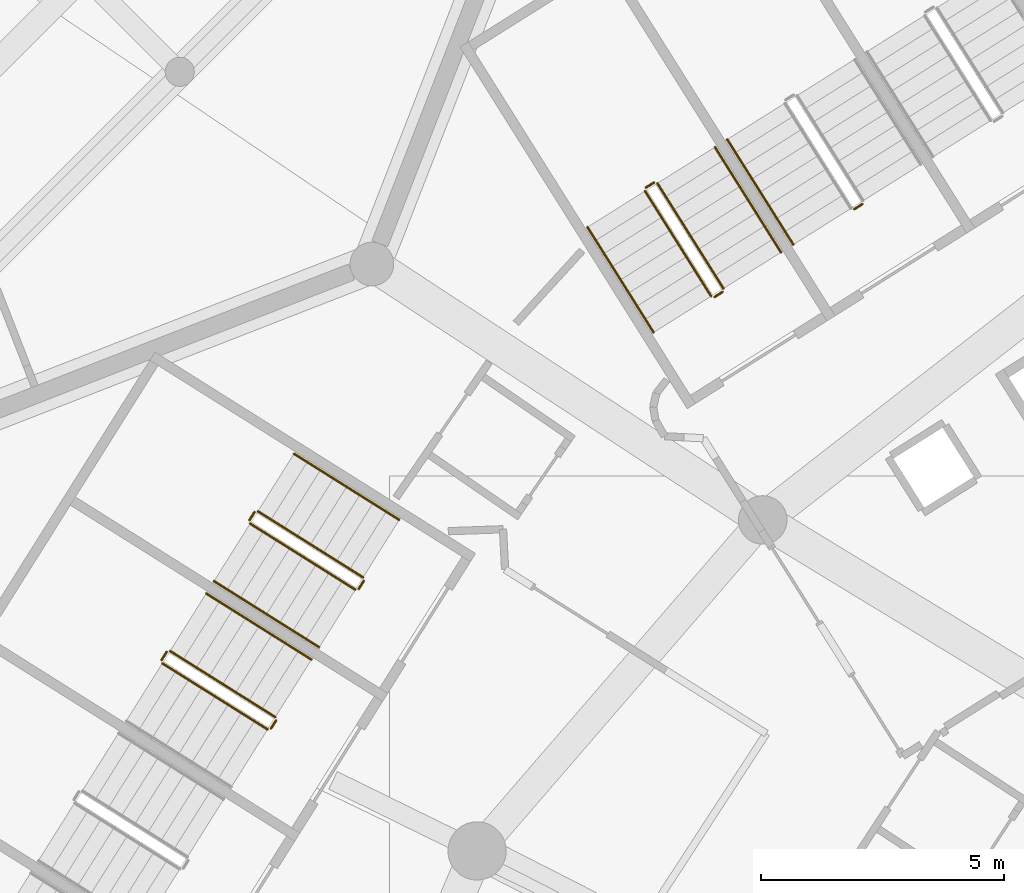
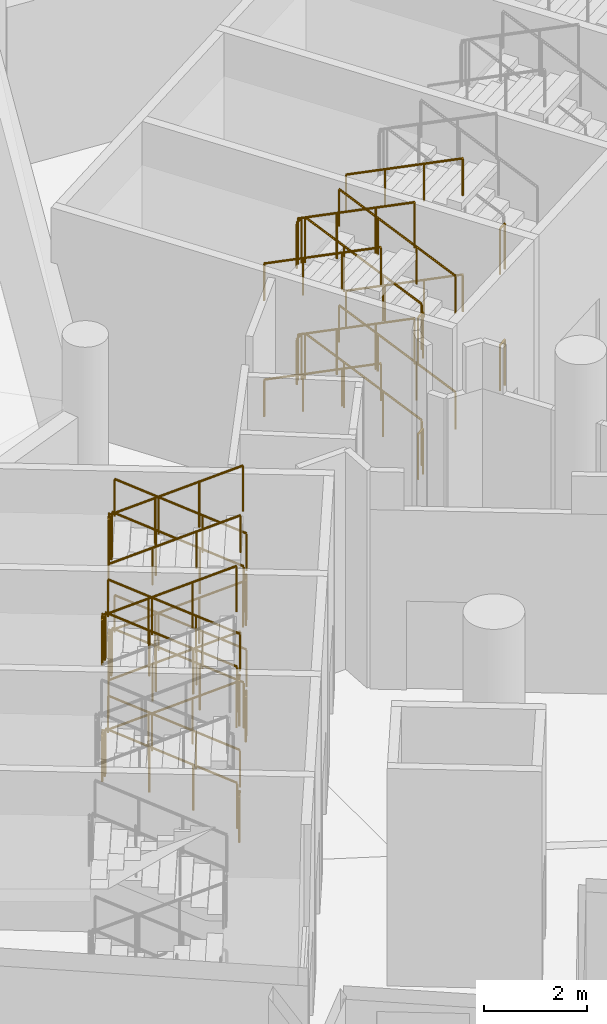
# One storey, part 255 of 271: 38 railings.
"""IFC4 building model written with IfcOpenShell, lengths in metres."""

from ifc_helpers import new_model, si_unit, direction, frame, origin, origin_2d, place, context, subcontext, project, spatial, circle, extrude, material, type_object, element, save


model = new_model("IFC4")

# Units and contexts
model_context = context("Model", 3, precision=1e-05, world=origin(), true_north=direction((0.0, 1.0)))
body_context = subcontext(model_context, "Body", "Model", "MODEL_VIEW")
ifc_project = project(units=[si_unit("LENGTHUNIT", "METRE"), si_unit("AREAUNIT", "SQUARE_METRE"), si_unit("VOLUMEUNIT", "CUBIC_METRE"), si_unit("PLANEANGLEUNIT", "RADIAN"), si_unit("MASSUNIT", "GRAM", prefix="KILO")], contexts=[model_context])

# Site, building, storey
site_placement = place(None, origin())
site = spatial("IfcSite", under=ifc_project, at=site_placement, CompositionType="ELEMENT")
building_placement = place(site_placement, origin())
building = spatial("IfcBuilding", under=site, at=building_placement, Name="Meseta Stadium", CompositionType="ELEMENT")
storey_placement = place(building_placement, frame((0.0, 0.0, 6.5)))
storey = spatial("IfcBuildingStorey", under=building, at=storey_placement, Name="L01", CompositionType="ELEMENT", Elevation=6.5)

# Railings
ifc_material_1 = material(Name="Steel S355", Category="steel")
railing_type_1 = type_object("IfcRailingType", Name="Stair guard 1100", PredefinedType="GUARDRAIL", material=ifc_material_1)
for number, where, name in (
    (1, (-70.2587890625, 85.600341796875, 2.75), "ST51 L01 guard 4"),
    (2, (-70.2587890625, 85.600341796875, 0.0), "ST51 L01 guard 8"),
):
    element("IfcRailing", number, at=place(storey_placement, frame(where)), inside=storey, type_object=railing_type_1, Name=name, PredefinedType="GUARDRAIL", context=body_context, shape_type="SweptSolid", body=[
        extrude(circle(Radius=0.02392578125, at=origin_2d()), frame((0.0, 0.0, 1.076171875), z_axis=(-0.846416356806, -0.532521690573, 0.0), x_axis=(0.532521690573, -0.846416356806, 0.0)), (0.0, 0.0, 1.0), 0.199951171875),
        extrude(circle(Radius=0.02099609375, at=origin_2d()), origin(), (0.0, 0.0, 1.0), 1.052001953125),
        extrude(circle(Radius=0.02099609375, at=origin_2d()), frame((-0.169189453125, -0.1064453125, 0.0)), (0.0, 0.0, 1.0), 1.052001953125),
    ])
railing_1_placement = place(storey_placement, frame((-73.121826171875, 83.8603515625, 0.15283203125)))
element("IfcRailing", 3, at=railing_1_placement, inside=storey, type_object=railing_type_1, Name="ST52 L01 guard 1", PredefinedType="GUARDRAIL", context=body_context, shape_type="SweptSolid", body=[
    extrude(circle(Radius=0.02392578125, at=origin_2d()), frame((0.0, 0.0, 1.076171875), z_axis=(-0.480156468945, 0.764084805753, 0.430841241), x_axis=(-0.84669915639, -0.532071929883, 0.0)), (0.0, 0.0, 1.0), 2.836669921875),
    extrude(circle(Radius=0.02099609375, at=origin_2d()), origin(), (0.0, 0.0, 1.0), 1.052001953125),
    extrude(circle(Radius=0.02099609375, at=origin_2d()), frame((-0.4541015625, 0.722412109375, 0.407470703125)), (0.0, 0.0, 1.0), 1.052001953125),
    extrude(circle(Radius=0.02099609375, at=origin_2d()), frame((-0.907958984375, 1.445068359375, 0.814697265625)), (0.0, 0.0, 1.0), 1.052001953125),
    extrude(circle(Radius=0.02099609375, at=origin_2d()), frame((-1.362060546875, 2.16748046875, 1.22216796875)), (0.0, 0.0, 1.0), 1.052001953125),
])
railing_2_placement = place(storey_placement, frame((-74.552734375, 86.043701171875, 1.375)))
element("IfcRailing", 4, at=railing_2_placement, inside=storey, type_object=railing_type_1, Name="ST52 L01 guard 2", PredefinedType="GUARDRAIL", context=body_context, shape_type="SweptSolid", body=[
    extrude(circle(Radius=0.02392578125, at=origin_2d()), frame((0.0, 0.0, 1.076171875), z_axis=(-0.846762178531, -0.531971628011, 0.0), x_axis=(0.531971628011, -0.846762178531, 0.0)), (0.0, 0.0, 1.0), 0.2001953125),
    extrude(circle(Radius=0.02099609375, at=origin_2d()), origin(), (0.0, 0.0, 1.0), 1.052001953125),
    extrude(circle(Radius=0.02099609375, at=origin_2d()), frame((-0.16943359375, -0.1064453125, 0.0)), (0.0, 0.0, 1.0), 1.052001953125),
])
railing_3_placement = place(storey_placement, frame((-74.73779296875, 85.8681640625, 1.52783203125)))
element("IfcRailing", 5, at=railing_3_placement, inside=storey, type_object=railing_type_1, Name="ST52 L01 guard 3", PredefinedType="GUARDRAIL", context=body_context, shape_type="SweptSolid", body=[
    extrude(circle(Radius=0.02392578125, at=origin_2d()), frame((0.0, 0.0, 1.076171875), z_axis=(0.480090242169, -0.764116380419, 0.430859044873), x_axis=(0.846742120675, 0.53200355363, 0.0)), (0.0, 0.0, 1.0), 2.836669921875),
    extrude(circle(Radius=0.02099609375, at=origin_2d()), origin(), (0.0, 0.0, 1.0), 1.052001953125),
    extrude(circle(Radius=0.02099609375, at=origin_2d()), frame((0.453857421875, -0.722412109375, 0.407470703125)), (0.0, 0.0, 1.0), 1.052001953125),
    extrude(circle(Radius=0.02099609375, at=origin_2d()), frame((0.907958984375, -1.445068359375, 0.814697265625)), (0.0, 0.0, 1.0), 1.052001953125),
    extrude(circle(Radius=0.02099609375, at=origin_2d()), frame((1.36181640625, -2.16748046875, 1.22216796875)), (0.0, 0.0, 1.0), 1.052001953125),
])
railing_4_placement = place(storey_placement, frame((-73.1376953125, 83.791259765625, 2.75)))
element("IfcRailing", 6, at=railing_4_placement, inside=storey, type_object=railing_type_1, Name="ST52 L01 guard 4", PredefinedType="GUARDRAIL", context=body_context, shape_type="SweptSolid", body=[
    extrude(circle(Radius=0.02392578125, at=origin_2d()), frame((0.0, 0.0, 1.076171875), z_axis=(-0.846416356806, -0.532521690573, 0.0), x_axis=(0.532521690573, -0.846416356806, 0.0)), (0.0, 0.0, 1.0), 0.199951171875),
    extrude(circle(Radius=0.02099609375, at=origin_2d()), origin(), (0.0, 0.0, 1.0), 1.052001953125),
    extrude(circle(Radius=0.02099609375, at=origin_2d()), frame((-0.169189453125, -0.1064453125, 0.0)), (0.0, 0.0, 1.0), 1.052001953125),
])
railing_5_placement = place(storey_placement, frame((-73.121826171875, 83.8603515625, 2.90283203125)))
element("IfcRailing", 7, at=railing_5_placement, inside=storey, type_object=railing_type_1, Name="ST52 L01 guard 5", PredefinedType="GUARDRAIL", context=body_context, shape_type="SweptSolid", body=[
    extrude(circle(Radius=0.02392578125, at=origin_2d()), frame((0.0, 0.0, 1.076171875), z_axis=(-0.480156468945, 0.764084805753, 0.430841241), x_axis=(-0.84669915639, -0.532071929883, 0.0)), (0.0, 0.0, 1.0), 2.836669921875),
    extrude(circle(Radius=0.02099609375, at=origin_2d()), origin(), (0.0, 0.0, 1.0), 1.052001953125),
    extrude(circle(Radius=0.02099609375, at=origin_2d()), frame((-0.4541015625, 0.722412109375, 0.407470703125)), (0.0, 0.0, 1.0), 1.052001953125),
    extrude(circle(Radius=0.02099609375, at=origin_2d()), frame((-0.907958984375, 1.445068359375, 0.814697265625)), (0.0, 0.0, 1.0), 1.052001953125),
    extrude(circle(Radius=0.02099609375, at=origin_2d()), frame((-1.362060546875, 2.16748046875, 1.22216796875)), (0.0, 0.0, 1.0), 1.052001953125),
])
railing_6_placement = place(storey_placement, frame((-74.552734375, 86.043701171875, 4.125)))
element("IfcRailing", 8, at=railing_6_placement, inside=storey, type_object=railing_type_1, Name="ST52 L01 guard 6", PredefinedType="GUARDRAIL", context=body_context, shape_type="SweptSolid", body=[
    extrude(circle(Radius=0.02392578125, at=origin_2d()), frame((0.0, 0.0, 1.076171875), z_axis=(-0.846762178531, -0.531971628011, 0.0), x_axis=(0.531971628011, -0.846762178531, 0.0)), (0.0, 0.0, 1.0), 0.2001953125),
    extrude(circle(Radius=0.02099609375, at=origin_2d()), origin(), (0.0, 0.0, 1.0), 1.052001953125),
    extrude(circle(Radius=0.02099609375, at=origin_2d()), frame((-0.16943359375, -0.1064453125, 0.0)), (0.0, 0.0, 1.0), 1.052001953125),
])
railing_7_placement = place(storey_placement, frame((-74.73779296875, 85.8681640625, 4.27783203125)))
element("IfcRailing", 9, at=railing_7_placement, inside=storey, type_object=railing_type_1, Name="ST52 L01 guard 7", PredefinedType="GUARDRAIL", context=body_context, shape_type="SweptSolid", body=[
    extrude(circle(Radius=0.02392578125, at=origin_2d()), frame((0.0, 0.0, 1.076171875), z_axis=(0.480090242169, -0.764116380419, 0.430859044873), x_axis=(0.846742120675, 0.53200355363, 0.0)), (0.0, 0.0, 1.0), 2.836669921875),
    extrude(circle(Radius=0.02099609375, at=origin_2d()), origin(), (0.0, 0.0, 1.0), 1.052001953125),
    extrude(circle(Radius=0.02099609375, at=origin_2d()), frame((0.453857421875, -0.722412109375, 0.407470703125)), (0.0, 0.0, 1.0), 1.052001953125),
    extrude(circle(Radius=0.02099609375, at=origin_2d()), frame((0.907958984375, -1.445068359375, 0.814697265625)), (0.0, 0.0, 1.0), 1.052001953125),
    extrude(circle(Radius=0.02099609375, at=origin_2d()), frame((1.36181640625, -2.16748046875, 1.22216796875)), (0.0, 0.0, 1.0), 1.052001953125),
])
railing_8_placement = place(storey_placement, frame((-73.1376953125, 83.791259765625, 0.0)))
element("IfcRailing", 10, at=railing_8_placement, inside=storey, type_object=railing_type_1, Name="ST52 L01 guard 8", PredefinedType="GUARDRAIL", context=body_context, shape_type="SweptSolid", body=[
    extrude(circle(Radius=0.02392578125, at=origin_2d()), frame((0.0, 0.0, 1.076171875), z_axis=(-0.846416356806, -0.532521690573, 0.0), x_axis=(0.532521690573, -0.846416356806, 0.0)), (0.0, 0.0, 1.0), 0.199951171875),
    extrude(circle(Radius=0.02099609375, at=origin_2d()), origin(), (0.0, 0.0, 1.0), 1.052001953125),
    extrude(circle(Radius=0.02099609375, at=origin_2d()), frame((-0.169189453125, -0.1064453125, 0.0)), (0.0, 0.0, 1.0), 1.052001953125),
])
railing_9_placement = place(storey_placement, frame((-80.54736328125, 77.907958984375, 0.15283203125)))
element("IfcRailing", 11, at=railing_9_placement, inside=storey, type_object=railing_type_1, Name="ST53 L01 guard 1", PredefinedType="GUARDRAIL", context=body_context, shape_type="SweptSolid", body=[
    extrude(circle(Radius=0.02392578125, at=origin_2d()), frame((0.0, 0.0, 1.076171875), z_axis=(-0.764120620259, 0.480124894743, 0.430812909676), x_axis=(-0.532028967801, -0.846726152555, 0.0)), (0.0, 0.0, 1.0), 2.8369140625),
    extrude(circle(Radius=0.02099609375, at=origin_2d()), origin(), (0.0, 0.0, 1.0), 1.052001953125),
    extrude(circle(Radius=0.02099609375, at=origin_2d()), frame((-0.72265625, 0.4541015625, 0.407470703125)), (0.0, 0.0, 1.0), 1.052001953125),
    extrude(circle(Radius=0.02099609375, at=origin_2d()), frame((-1.445068359375, 0.907958984375, 0.814697265625)), (0.0, 0.0, 1.0), 1.052001953125),
    extrude(circle(Radius=0.02099609375, at=origin_2d()), frame((-2.167724609375, 1.362060546875, 1.22216796875)), (0.0, 0.0, 1.0), 1.052001953125),
])
railing_10_placement = place(storey_placement, frame((-82.783935546875, 79.254150390625, 1.375)))
element("IfcRailing", 12, at=railing_10_placement, inside=storey, type_object=railing_type_1, Name="ST53 L01 guard 2", PredefinedType="GUARDRAIL", context=body_context, shape_type="SweptSolid", body=[
    extrude(circle(Radius=0.02392578125, at=origin_2d()), frame((0.0, 0.0, 1.076171875), z_axis=(-0.532521690573, -0.846416356806, 0.0), x_axis=(0.846416356806, -0.532521690573, 0.0)), (0.0, 0.0, 1.0), 0.199951171875),
    extrude(circle(Radius=0.02099609375, at=origin_2d()), origin(), (0.0, 0.0, 1.0), 1.052001953125),
    extrude(circle(Radius=0.02099609375, at=origin_2d()), frame((-0.1064453125, -0.169189453125, 0.0)), (0.0, 0.0, 1.0), 1.052001953125),
])
railing_11_placement = place(storey_placement, frame((-82.87451171875, 79.015869140625, 1.52783203125)))
element("IfcRailing", 13, at=railing_11_placement, inside=storey, type_object=railing_type_1, Name="ST53 L01 guard 3", PredefinedType="GUARDRAIL", context=body_context, shape_type="SweptSolid", body=[
    extrude(circle(Radius=0.02392578125, at=origin_2d()), frame((0.0, 0.0, 1.076171875), z_axis=(0.764084805753, -0.480156468945, 0.430841241), x_axis=(0.532071929883, 0.84669915639, 0.0)), (0.0, 0.0, 1.0), 2.836669921875),
    extrude(circle(Radius=0.02099609375, at=origin_2d()), origin(), (0.0, 0.0, 1.0), 1.052001953125),
    extrude(circle(Radius=0.02099609375, at=origin_2d()), frame((0.722412109375, -0.4541015625, 0.407470703125)), (0.0, 0.0, 1.0), 1.052001953125),
    extrude(circle(Radius=0.02099609375, at=origin_2d()), frame((1.445068359375, -0.907958984375, 0.814697265625)), (0.0, 0.0, 1.0), 1.052001953125),
    extrude(circle(Radius=0.02099609375, at=origin_2d()), frame((2.16748046875, -1.362060546875, 1.22216796875)), (0.0, 0.0, 1.0), 1.052001953125),
])
railing_12_placement = place(storey_placement, frame((-80.53173828125, 77.8388671875, 2.75)))
element("IfcRailing", 14, at=railing_12_placement, inside=storey, type_object=railing_type_1, Name="ST53 L01 guard 4", PredefinedType="GUARDRAIL", context=body_context, shape_type="SweptSolid", body=[
    extrude(circle(Radius=0.02392578125, at=origin_2d()), frame((0.0, 0.0, 1.076171875), z_axis=(-0.531645814745, -0.846966780732, 0.0), x_axis=(0.846966780732, -0.531645814745, 0.0)), (0.0, 0.0, 1.0), 0.19970703125),
    extrude(circle(Radius=0.02099609375, at=origin_2d()), origin(), (0.0, 0.0, 1.0), 1.052001953125),
    extrude(circle(Radius=0.02099609375, at=origin_2d()), frame((-0.106201171875, -0.169189453125, 0.0)), (0.0, 0.0, 1.0), 1.052001953125),
])
railing_13_placement = place(storey_placement, frame((-80.54736328125, 77.907958984375, 2.90283203125)))
element("IfcRailing", 15, at=railing_13_placement, inside=storey, type_object=railing_type_1, Name="ST53 L01 guard 5", PredefinedType="GUARDRAIL", context=body_context, shape_type="SweptSolid", body=[
    extrude(circle(Radius=0.02392578125, at=origin_2d()), frame((0.0, 0.0, 1.076171875), z_axis=(-0.764120620259, 0.480124894743, 0.430812909676), x_axis=(-0.532028967801, -0.846726152555, 0.0)), (0.0, 0.0, 1.0), 2.8369140625),
    extrude(circle(Radius=0.02099609375, at=origin_2d()), origin(), (0.0, 0.0, 1.0), 1.052001953125),
    extrude(circle(Radius=0.02099609375, at=origin_2d()), frame((-0.72265625, 0.4541015625, 0.407470703125)), (0.0, 0.0, 1.0), 1.052001953125),
    extrude(circle(Radius=0.02099609375, at=origin_2d()), frame((-1.445068359375, 0.907958984375, 0.814697265625)), (0.0, 0.0, 1.0), 1.052001953125),
    extrude(circle(Radius=0.02099609375, at=origin_2d()), frame((-2.167724609375, 1.362060546875, 1.22216796875)), (0.0, 0.0, 1.0), 1.052001953125),
])
railing_14_placement = place(storey_placement, frame((-82.783935546875, 79.254150390625, 4.125)))
element("IfcRailing", 16, at=railing_14_placement, inside=storey, type_object=railing_type_1, Name="ST53 L01 guard 6", PredefinedType="GUARDRAIL", context=body_context, shape_type="SweptSolid", body=[
    extrude(circle(Radius=0.02392578125, at=origin_2d()), frame((0.0, 0.0, 1.076171875), z_axis=(-0.532521690573, -0.846416356806, 0.0), x_axis=(0.846416356806, -0.532521690573, 0.0)), (0.0, 0.0, 1.0), 0.199951171875),
    extrude(circle(Radius=0.02099609375, at=origin_2d()), origin(), (0.0, 0.0, 1.0), 1.052001953125),
    extrude(circle(Radius=0.02099609375, at=origin_2d()), frame((-0.1064453125, -0.169189453125, 0.0)), (0.0, 0.0, 1.0), 1.052001953125),
])
railing_15_placement = place(storey_placement, frame((-82.87451171875, 79.015869140625, 4.27783203125)))
element("IfcRailing", 17, at=railing_15_placement, inside=storey, type_object=railing_type_1, Name="ST53 L01 guard 7", PredefinedType="GUARDRAIL", context=body_context, shape_type="SweptSolid", body=[
    extrude(circle(Radius=0.02392578125, at=origin_2d()), frame((0.0, 0.0, 1.076171875), z_axis=(0.764084805753, -0.480156468945, 0.430841241), x_axis=(0.532071929883, 0.84669915639, 0.0)), (0.0, 0.0, 1.0), 2.836669921875),
    extrude(circle(Radius=0.02099609375, at=origin_2d()), origin(), (0.0, 0.0, 1.0), 1.052001953125),
    extrude(circle(Radius=0.02099609375, at=origin_2d()), frame((0.722412109375, -0.4541015625, 0.407470703125)), (0.0, 0.0, 1.0), 1.052001953125),
    extrude(circle(Radius=0.02099609375, at=origin_2d()), frame((1.445068359375, -0.907958984375, 0.814697265625)), (0.0, 0.0, 1.0), 1.052001953125),
    extrude(circle(Radius=0.02099609375, at=origin_2d()), frame((2.16748046875, -1.362060546875, 1.22216796875)), (0.0, 0.0, 1.0), 1.052001953125),
])
railing_16_placement = place(storey_placement, frame((-80.53173828125, 77.8388671875, 0.0)))
element("IfcRailing", 18, at=railing_16_placement, inside=storey, type_object=railing_type_1, Name="ST53 L01 guard 8", PredefinedType="GUARDRAIL", context=body_context, shape_type="SweptSolid", body=[
    extrude(circle(Radius=0.02392578125, at=origin_2d()), frame((0.0, 0.0, 1.076171875), z_axis=(-0.531645814745, -0.846966780732, 0.0), x_axis=(0.846966780732, -0.531645814745, 0.0)), (0.0, 0.0, 1.0), 0.19970703125),
    extrude(circle(Radius=0.02099609375, at=origin_2d()), origin(), (0.0, 0.0, 1.0), 1.052001953125),
    extrude(circle(Radius=0.02099609375, at=origin_2d()), frame((-0.106201171875, -0.169189453125, 0.0)), (0.0, 0.0, 1.0), 1.052001953125),
])
railing_17_placement = place(storey_placement, frame((-82.356201171875, 75.029052734375, 0.15283203125)))
element("IfcRailing", 19, at=railing_17_placement, inside=storey, type_object=railing_type_1, Name="ST54 L01 guard 1", PredefinedType="GUARDRAIL", context=body_context, shape_type="SweptSolid", body=[
    extrude(circle(Radius=0.02392578125, at=origin_2d()), frame((0.0, 0.0, 1.076171875), z_axis=(-0.764120620259, 0.480124894743, 0.430812909676), x_axis=(-0.532028967801, -0.846726152555, 0.0)), (0.0, 0.0, 1.0), 2.8369140625),
    extrude(circle(Radius=0.02099609375, at=origin_2d()), origin(), (0.0, 0.0, 1.0), 1.052001953125),
    extrude(circle(Radius=0.02099609375, at=origin_2d()), frame((-0.72265625, 0.4541015625, 0.407470703125)), (0.0, 0.0, 1.0), 1.052001953125),
    extrude(circle(Radius=0.02099609375, at=origin_2d()), frame((-1.445068359375, 0.907958984375, 0.814697265625)), (0.0, 0.0, 1.0), 1.052001953125),
    extrude(circle(Radius=0.02099609375, at=origin_2d()), frame((-2.167724609375, 1.362060546875, 1.22216796875)), (0.0, 0.0, 1.0), 1.052001953125),
])
railing_18_placement = place(storey_placement, frame((-84.5927734375, 76.375244140625, 1.375)))
element("IfcRailing", 20, at=railing_18_placement, inside=storey, type_object=railing_type_1, Name="ST54 L01 guard 2", PredefinedType="GUARDRAIL", context=body_context, shape_type="SweptSolid", body=[
    extrude(circle(Radius=0.02392578125, at=origin_2d()), frame((0.0, 0.0, 1.076171875), z_axis=(-0.532521690573, -0.846416356806, 0.0), x_axis=(0.846416356806, -0.532521690573, 0.0)), (0.0, 0.0, 1.0), 0.199951171875),
    extrude(circle(Radius=0.02099609375, at=origin_2d()), origin(), (0.0, 0.0, 1.0), 1.052001953125),
    extrude(circle(Radius=0.02099609375, at=origin_2d()), frame((-0.1064453125, -0.169189453125, 0.0)), (0.0, 0.0, 1.0), 1.052001953125),
])
railing_19_placement = place(storey_placement, frame((-84.68359375, 76.136962890625, 1.52783203125)))
element("IfcRailing", 21, at=railing_19_placement, inside=storey, type_object=railing_type_1, Name="ST54 L01 guard 3", PredefinedType="GUARDRAIL", context=body_context, shape_type="SweptSolid", body=[
    extrude(circle(Radius=0.02392578125, at=origin_2d()), frame((0.0, 0.0, 1.076171875), z_axis=(0.764152192252, -0.480058669713, 0.430830710036), x_axis=(0.53196059271, 0.846769111272, 0.0)), (0.0, 0.0, 1.0), 2.836669921875),
    extrude(circle(Radius=0.02099609375, at=origin_2d()), origin(), (0.0, 0.0, 1.0), 1.052001953125),
    extrude(circle(Radius=0.02099609375, at=origin_2d()), frame((0.72265625, -0.453857421875, 0.407470703125)), (0.0, 0.0, 1.0), 1.052001953125),
    extrude(circle(Radius=0.02099609375, at=origin_2d()), frame((1.445068359375, -0.907958984375, 0.814697265625)), (0.0, 0.0, 1.0), 1.052001953125),
    extrude(circle(Radius=0.02099609375, at=origin_2d()), frame((2.167724609375, -1.36181640625, 1.22216796875)), (0.0, 0.0, 1.0), 1.052001953125),
])
railing_20_placement = place(storey_placement, frame((-82.340576171875, 74.960205078125, 2.75)))
element("IfcRailing", 22, at=railing_20_placement, inside=storey, type_object=railing_type_1, Name="ST54 L01 guard 4", PredefinedType="GUARDRAIL", context=body_context, shape_type="SweptSolid", body=[
    extrude(circle(Radius=0.02392578125, at=origin_2d()), frame((0.0, 0.0, 1.076171875), z_axis=(-0.531971628011, -0.846762178531, 0.0), x_axis=(0.846762178531, -0.531971628011, 0.0)), (0.0, 0.0, 1.0), 0.2001953125),
    extrude(circle(Radius=0.02099609375, at=origin_2d()), origin(), (0.0, 0.0, 1.0), 1.052001953125),
    extrude(circle(Radius=0.02099609375, at=origin_2d()), frame((-0.1064453125, -0.16943359375, 0.0)), (0.0, 0.0, 1.0), 1.052001953125),
])
railing_21_placement = place(storey_placement, frame((-82.356201171875, 75.029052734375, 2.90283203125)))
element("IfcRailing", 23, at=railing_21_placement, inside=storey, type_object=railing_type_1, Name="ST54 L01 guard 5", PredefinedType="GUARDRAIL", context=body_context, shape_type="SweptSolid", body=[
    extrude(circle(Radius=0.02392578125, at=origin_2d()), frame((0.0, 0.0, 1.076171875), z_axis=(-0.764120620259, 0.480124894743, 0.430812909676), x_axis=(-0.532028967801, -0.846726152555, 0.0)), (0.0, 0.0, 1.0), 2.8369140625),
    extrude(circle(Radius=0.02099609375, at=origin_2d()), origin(), (0.0, 0.0, 1.0), 1.052001953125),
    extrude(circle(Radius=0.02099609375, at=origin_2d()), frame((-0.72265625, 0.4541015625, 0.407470703125)), (0.0, 0.0, 1.0), 1.052001953125),
    extrude(circle(Radius=0.02099609375, at=origin_2d()), frame((-1.445068359375, 0.907958984375, 0.814697265625)), (0.0, 0.0, 1.0), 1.052001953125),
    extrude(circle(Radius=0.02099609375, at=origin_2d()), frame((-2.167724609375, 1.362060546875, 1.22216796875)), (0.0, 0.0, 1.0), 1.052001953125),
])
railing_22_placement = place(storey_placement, frame((-84.5927734375, 76.375244140625, 4.125)))
element("IfcRailing", 24, at=railing_22_placement, inside=storey, type_object=railing_type_1, Name="ST54 L01 guard 6", PredefinedType="GUARDRAIL", context=body_context, shape_type="SweptSolid", body=[
    extrude(circle(Radius=0.02392578125, at=origin_2d()), frame((0.0, 0.0, 1.076171875), z_axis=(-0.532521690573, -0.846416356806, 0.0), x_axis=(0.846416356806, -0.532521690573, 0.0)), (0.0, 0.0, 1.0), 0.199951171875),
    extrude(circle(Radius=0.02099609375, at=origin_2d()), origin(), (0.0, 0.0, 1.0), 1.052001953125),
    extrude(circle(Radius=0.02099609375, at=origin_2d()), frame((-0.1064453125, -0.169189453125, 0.0)), (0.0, 0.0, 1.0), 1.052001953125),
])
railing_23_placement = place(storey_placement, frame((-84.68359375, 76.136962890625, 4.27783203125)))
element("IfcRailing", 25, at=railing_23_placement, inside=storey, type_object=railing_type_1, Name="ST54 L01 guard 7", PredefinedType="GUARDRAIL", context=body_context, shape_type="SweptSolid", body=[
    extrude(circle(Radius=0.02392578125, at=origin_2d()), frame((0.0, 0.0, 1.076171875), z_axis=(0.764152192252, -0.480058669713, 0.430830710036), x_axis=(0.53196059271, 0.846769111272, 0.0)), (0.0, 0.0, 1.0), 2.836669921875),
    extrude(circle(Radius=0.02099609375, at=origin_2d()), origin(), (0.0, 0.0, 1.0), 1.052001953125),
    extrude(circle(Radius=0.02099609375, at=origin_2d()), frame((0.72265625, -0.453857421875, 0.407470703125)), (0.0, 0.0, 1.0), 1.052001953125),
    extrude(circle(Radius=0.02099609375, at=origin_2d()), frame((1.445068359375, -0.907958984375, 0.814697265625)), (0.0, 0.0, 1.0), 1.052001953125),
    extrude(circle(Radius=0.02099609375, at=origin_2d()), frame((2.167724609375, -1.36181640625, 1.22216796875)), (0.0, 0.0, 1.0), 1.052001953125),
])
railing_24_placement = place(storey_placement, frame((-82.340576171875, 74.960205078125, 0.0)))
element("IfcRailing", 26, at=railing_24_placement, inside=storey, type_object=railing_type_1, Name="ST54 L01 guard 8", PredefinedType="GUARDRAIL", context=body_context, shape_type="SweptSolid", body=[
    extrude(circle(Radius=0.02392578125, at=origin_2d()), frame((0.0, 0.0, 1.076171875), z_axis=(-0.531971628011, -0.846762178531, 0.0), x_axis=(0.846762178531, -0.531971628011, 0.0)), (0.0, 0.0, 1.0), 0.2001953125),
    extrude(circle(Radius=0.02099609375, at=origin_2d()), origin(), (0.0, 0.0, 1.0), 1.052001953125),
    extrude(circle(Radius=0.02099609375, at=origin_2d()), frame((-0.1064453125, -0.16943359375, 0.0)), (0.0, 0.0, 1.0), 1.052001953125),
])
ifc_material_2 = material(Name="Steel S355", Category="steel")
railing_type_2 = type_object("IfcRailingType", Name="Stair handrail 900", PredefinedType="HANDRAIL", material=ifc_material_2)
for number, where, name in (
    (27, (-73.04443359375, 86.932373046875, 1.52783203125), "ST51 L01 handrail 2"),
    (28, (-73.04443359375, 86.932373046875, 4.27783203125), "ST51 L01 handrail 4"),
):
    element("IfcRailing", number, at=place(storey_placement, frame(where)), inside=storey, type_object=railing_type_2, Name=name, PredefinedType="HANDRAIL", context=body_context, shape_type="SweptSolid", body=[
        extrude(circle(Radius=0.02392578125, at=origin_2d()), frame((0.0, 0.0, 0.8759765625), z_axis=(0.480124894743, -0.764120620259, 0.430812909676), x_axis=(0.846726152555, 0.532028967801, 0.0)), (0.0, 0.0, 1.0), 2.8369140625),
        extrude(circle(Radius=0.02099609375, at=origin_2d()), origin(), (0.0, 0.0, 1.0), 0.851806640625),
        extrude(circle(Radius=0.02099609375, at=origin_2d()), frame((0.4541015625, -0.72265625, 0.407470703125)), (0.0, 0.0, 1.0), 0.851806640625),
        extrude(circle(Radius=0.02099609375, at=origin_2d()), frame((0.907958984375, -1.445068359375, 0.814697265625)), (0.0, 0.0, 1.0), 0.851806640625),
        extrude(circle(Radius=0.02099609375, at=origin_2d()), frame((1.362060546875, -2.167724609375, 1.22216796875)), (0.0, 0.0, 1.0), 0.851806640625),
    ])
railing_25_placement = place(storey_placement, frame((-71.9365234375, 84.60498046875, 0.15283203125)))
element("IfcRailing", 29, at=railing_25_placement, inside=storey, type_object=railing_type_2, Name="ST52 L01 handrail 1", PredefinedType="HANDRAIL", context=body_context, shape_type="SweptSolid", body=[
    extrude(circle(Radius=0.02392578125, at=origin_2d()), frame((0.0, 0.0, 0.8759765625), z_axis=(-0.480058669713, 0.764152192252, 0.430830710036), x_axis=(-0.846769111272, -0.53196059271, 0.0)), (0.0, 0.0, 1.0), 2.836669921875),
    extrude(circle(Radius=0.02099609375, at=origin_2d()), origin(), (0.0, 0.0, 1.0), 0.851806640625),
    extrude(circle(Radius=0.02099609375, at=origin_2d()), frame((-0.453857421875, 0.72265625, 0.407470703125)), (0.0, 0.0, 1.0), 0.851806640625),
    extrude(circle(Radius=0.02099609375, at=origin_2d()), frame((-0.907958984375, 1.445068359375, 0.814697265625)), (0.0, 0.0, 1.0), 0.851806640625),
    extrude(circle(Radius=0.02099609375, at=origin_2d()), frame((-1.36181640625, 2.167724609375, 1.22216796875)), (0.0, 0.0, 1.0), 0.851806640625),
])
railing_26_placement = place(storey_placement, frame((-75.92333984375, 85.12353515625, 1.52783203125)))
element("IfcRailing", 30, at=railing_26_placement, inside=storey, type_object=railing_type_2, Name="ST52 L01 handrail 2", PredefinedType="HANDRAIL", context=body_context, shape_type="SweptSolid", body=[
    extrude(circle(Radius=0.02392578125, at=origin_2d()), frame((0.0, 0.0, 0.8759765625), z_axis=(0.480124894743, -0.764120620259, 0.430812909676), x_axis=(0.846726152555, 0.532028967801, 0.0)), (0.0, 0.0, 1.0), 2.8369140625),
    extrude(circle(Radius=0.02099609375, at=origin_2d()), origin(), (0.0, 0.0, 1.0), 0.851806640625),
    extrude(circle(Radius=0.02099609375, at=origin_2d()), frame((0.4541015625, -0.72265625, 0.407470703125)), (0.0, 0.0, 1.0), 0.851806640625),
    extrude(circle(Radius=0.02099609375, at=origin_2d()), frame((0.907958984375, -1.445068359375, 0.814697265625)), (0.0, 0.0, 1.0), 0.851806640625),
    extrude(circle(Radius=0.02099609375, at=origin_2d()), frame((1.362060546875, -2.167724609375, 1.22216796875)), (0.0, 0.0, 1.0), 0.851806640625),
])
railing_27_placement = place(storey_placement, frame((-71.9365234375, 84.60498046875, 2.90283203125)))
element("IfcRailing", 31, at=railing_27_placement, inside=storey, type_object=railing_type_2, Name="ST52 L01 handrail 3", PredefinedType="HANDRAIL", context=body_context, shape_type="SweptSolid", body=[
    extrude(circle(Radius=0.02392578125, at=origin_2d()), frame((0.0, 0.0, 0.8759765625), z_axis=(-0.480058669713, 0.764152192252, 0.430830710036), x_axis=(-0.846769111272, -0.53196059271, 0.0)), (0.0, 0.0, 1.0), 2.836669921875),
    extrude(circle(Radius=0.02099609375, at=origin_2d()), origin(), (0.0, 0.0, 1.0), 0.851806640625),
    extrude(circle(Radius=0.02099609375, at=origin_2d()), frame((-0.453857421875, 0.72265625, 0.407470703125)), (0.0, 0.0, 1.0), 0.851806640625),
    extrude(circle(Radius=0.02099609375, at=origin_2d()), frame((-0.907958984375, 1.445068359375, 0.814697265625)), (0.0, 0.0, 1.0), 0.851806640625),
    extrude(circle(Radius=0.02099609375, at=origin_2d()), frame((-1.36181640625, 2.167724609375, 1.22216796875)), (0.0, 0.0, 1.0), 0.851806640625),
])
railing_28_placement = place(storey_placement, frame((-75.92333984375, 85.12353515625, 4.27783203125)))
element("IfcRailing", 32, at=railing_28_placement, inside=storey, type_object=railing_type_2, Name="ST52 L01 handrail 4", PredefinedType="HANDRAIL", context=body_context, shape_type="SweptSolid", body=[
    extrude(circle(Radius=0.02392578125, at=origin_2d()), frame((0.0, 0.0, 0.8759765625), z_axis=(0.480124894743, -0.764120620259, 0.430812909676), x_axis=(0.846726152555, 0.532028967801, 0.0)), (0.0, 0.0, 1.0), 2.8369140625),
    extrude(circle(Radius=0.02099609375, at=origin_2d()), origin(), (0.0, 0.0, 1.0), 0.851806640625),
    extrude(circle(Radius=0.02099609375, at=origin_2d()), frame((0.4541015625, -0.72265625, 0.407470703125)), (0.0, 0.0, 1.0), 0.851806640625),
    extrude(circle(Radius=0.02099609375, at=origin_2d()), frame((0.907958984375, -1.445068359375, 0.814697265625)), (0.0, 0.0, 1.0), 0.851806640625),
    extrude(circle(Radius=0.02099609375, at=origin_2d()), frame((1.362060546875, -2.167724609375, 1.22216796875)), (0.0, 0.0, 1.0), 0.851806640625),
])
railing_29_placement = place(storey_placement, frame((-79.802490234375, 79.09326171875, 0.15283203125)))
element("IfcRailing", 33, at=railing_29_placement, inside=storey, type_object=railing_type_2, Name="ST53 L01 handrail 1", PredefinedType="HANDRAIL", context=body_context, shape_type="SweptSolid", body=[
    extrude(circle(Radius=0.02392578125, at=origin_2d()), frame((0.0, 0.0, 0.8759765625), z_axis=(-0.764120620259, 0.480124894743, 0.430812909676), x_axis=(-0.532028967801, -0.846726152555, 0.0)), (0.0, 0.0, 1.0), 2.8369140625),
    extrude(circle(Radius=0.02099609375, at=origin_2d()), origin(), (0.0, 0.0, 1.0), 0.851806640625),
    extrude(circle(Radius=0.02099609375, at=origin_2d()), frame((-0.72265625, 0.4541015625, 0.407470703125)), (0.0, 0.0, 1.0), 0.851806640625),
    extrude(circle(Radius=0.02099609375, at=origin_2d()), frame((-1.445068359375, 0.907958984375, 0.814697265625)), (0.0, 0.0, 1.0), 0.851806640625),
    extrude(circle(Radius=0.02099609375, at=origin_2d()), frame((-2.167724609375, 1.362060546875, 1.22216796875)), (0.0, 0.0, 1.0), 0.851806640625),
])
railing_30_placement = place(storey_placement, frame((-83.619384765625, 77.83056640625, 1.52783203125)))
element("IfcRailing", 34, at=railing_30_placement, inside=storey, type_object=railing_type_2, Name="ST53 L01 handrail 2", PredefinedType="HANDRAIL", context=body_context, shape_type="SweptSolid", body=[
    extrude(circle(Radius=0.02392578125, at=origin_2d()), frame((0.0, 0.0, 0.8759765625), z_axis=(0.764084805753, -0.480156468945, 0.430841241), x_axis=(0.532071929883, 0.84669915639, 0.0)), (0.0, 0.0, 1.0), 2.836669921875),
    extrude(circle(Radius=0.02099609375, at=origin_2d()), origin(), (0.0, 0.0, 1.0), 0.851806640625),
    extrude(circle(Radius=0.02099609375, at=origin_2d()), frame((0.722412109375, -0.4541015625, 0.407470703125)), (0.0, 0.0, 1.0), 0.851806640625),
    extrude(circle(Radius=0.02099609375, at=origin_2d()), frame((1.445068359375, -0.907958984375, 0.814697265625)), (0.0, 0.0, 1.0), 0.851806640625),
    extrude(circle(Radius=0.02099609375, at=origin_2d()), frame((2.16748046875, -1.362060546875, 1.22216796875)), (0.0, 0.0, 1.0), 0.851806640625),
])
railing_31_placement = place(storey_placement, frame((-79.802490234375, 79.09326171875, 2.90283203125)))
element("IfcRailing", 35, at=railing_31_placement, inside=storey, type_object=railing_type_2, Name="ST53 L01 handrail 3", PredefinedType="HANDRAIL", context=body_context, shape_type="SweptSolid", body=[
    extrude(circle(Radius=0.02392578125, at=origin_2d()), frame((0.0, 0.0, 0.8759765625), z_axis=(-0.764120620259, 0.480124894743, 0.430812909676), x_axis=(-0.532028967801, -0.846726152555, 0.0)), (0.0, 0.0, 1.0), 2.8369140625),
    extrude(circle(Radius=0.02099609375, at=origin_2d()), origin(), (0.0, 0.0, 1.0), 0.851806640625),
    extrude(circle(Radius=0.02099609375, at=origin_2d()), frame((-0.72265625, 0.4541015625, 0.407470703125)), (0.0, 0.0, 1.0), 0.851806640625),
    extrude(circle(Radius=0.02099609375, at=origin_2d()), frame((-1.445068359375, 0.907958984375, 0.814697265625)), (0.0, 0.0, 1.0), 0.851806640625),
    extrude(circle(Radius=0.02099609375, at=origin_2d()), frame((-2.167724609375, 1.362060546875, 1.22216796875)), (0.0, 0.0, 1.0), 0.851806640625),
])
railing_32_placement = place(storey_placement, frame((-83.619384765625, 77.83056640625, 4.27783203125)))
element("IfcRailing", 36, at=railing_32_placement, inside=storey, type_object=railing_type_2, Name="ST53 L01 handrail 4", PredefinedType="HANDRAIL", context=body_context, shape_type="SweptSolid", body=[
    extrude(circle(Radius=0.02392578125, at=origin_2d()), frame((0.0, 0.0, 0.8759765625), z_axis=(0.764084805753, -0.480156468945, 0.430841241), x_axis=(0.532071929883, 0.84669915639, 0.0)), (0.0, 0.0, 1.0), 2.836669921875),
    extrude(circle(Radius=0.02099609375, at=origin_2d()), origin(), (0.0, 0.0, 1.0), 0.851806640625),
    extrude(circle(Radius=0.02099609375, at=origin_2d()), frame((0.722412109375, -0.4541015625, 0.407470703125)), (0.0, 0.0, 1.0), 0.851806640625),
    extrude(circle(Radius=0.02099609375, at=origin_2d()), frame((1.445068359375, -0.907958984375, 0.814697265625)), (0.0, 0.0, 1.0), 0.851806640625),
    extrude(circle(Radius=0.02099609375, at=origin_2d()), frame((2.16748046875, -1.362060546875, 1.22216796875)), (0.0, 0.0, 1.0), 0.851806640625),
])
for number, where, name in (
    (37, (-81.611328125, 76.21435546875, 0.15283203125), "ST54 L01 handrail 1"),
    (38, (-81.611328125, 76.21435546875, 2.90283203125), "ST54 L01 handrail 3"),
):
    element("IfcRailing", number, at=place(storey_placement, frame(where)), inside=storey, type_object=railing_type_2, Name=name, PredefinedType="HANDRAIL", context=body_context, shape_type="SweptSolid", body=[
        extrude(circle(Radius=0.02392578125, at=origin_2d()), frame((0.0, 0.0, 0.8759765625), z_axis=(-0.764120620259, 0.480124894743, 0.430812909676), x_axis=(-0.532028967801, -0.846726152555, 0.0)), (0.0, 0.0, 1.0), 2.8369140625),
        extrude(circle(Radius=0.02099609375, at=origin_2d()), origin(), (0.0, 0.0, 1.0), 0.851806640625),
        extrude(circle(Radius=0.02099609375, at=origin_2d()), frame((-0.72265625, 0.4541015625, 0.407470703125)), (0.0, 0.0, 1.0), 0.851806640625),
        extrude(circle(Radius=0.02099609375, at=origin_2d()), frame((-1.445068359375, 0.907958984375, 0.814697265625)), (0.0, 0.0, 1.0), 0.851806640625),
        extrude(circle(Radius=0.02099609375, at=origin_2d()), frame((-2.167724609375, 1.362060546875, 1.22216796875)), (0.0, 0.0, 1.0), 0.851806640625),
    ])

save(model, "model.ifc")
